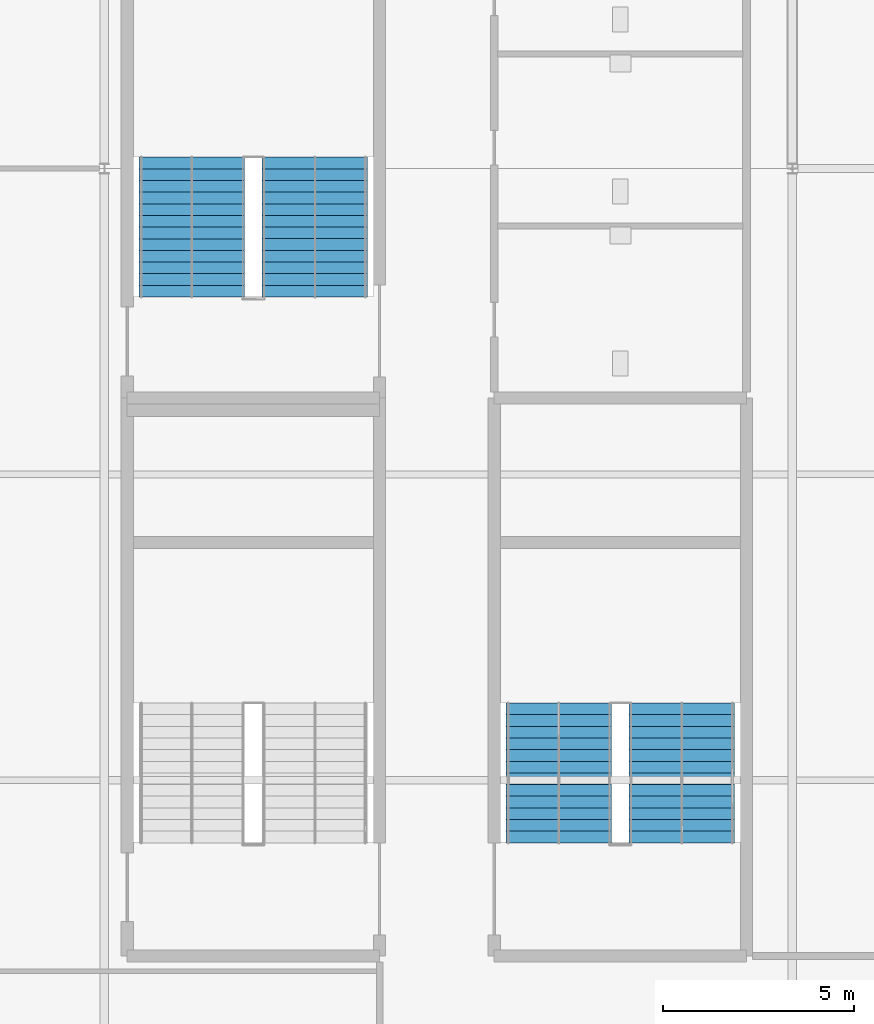
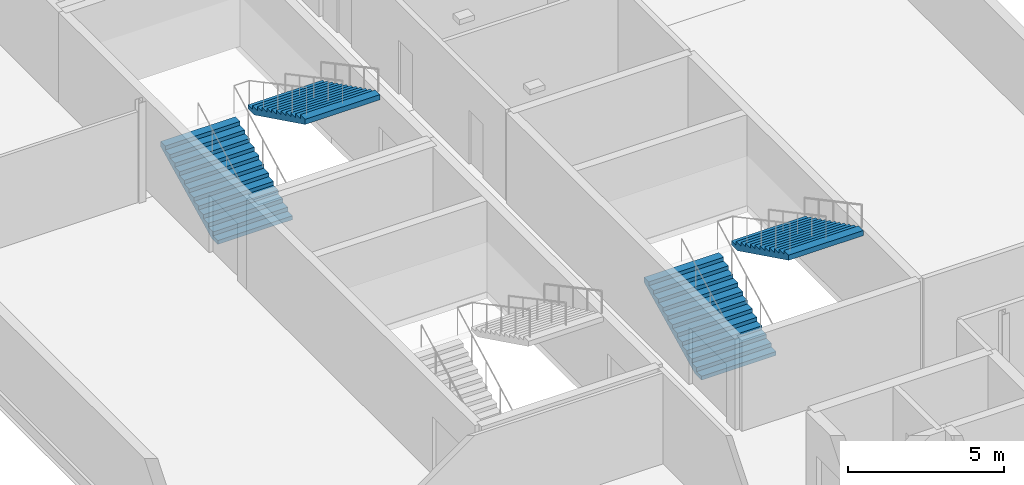
# One storey, part 24 of 30: 4 stair flights, 2 elements without a shape of their own.
"""IFC4 building model written with IfcOpenShell, lengths in metres."""

import ifcopenshell
import ifcopenshell.guid

model = None  # the IFC model being written
_history = None  # IfcOwnerHistory: only IFC2X3 demands one
_inside = {}  # id of a spatial element -> (the spatial element, [elements in it])
_under = {}  # id of a project, library or spatial element -> (it, [spatial elements below it])
_declared = {}  # id of a project -> (the project, [libraries it declares])
_typed = {}  # id of a type object -> (the type object, [elements of that type])
_made_of = {}  # id of a material, layer set ... -> (it, [elements and type objects made of it])


def new_model(schema):
    """Start an empty IFC model of exactly this schema.

    Asked for "IFC4X3", IfcOpenShell would pick the latest addendum, in which some entities
    have other attributes; the version numbers below select the first issue.
    IFC2X3 requires an IfcOwnerHistory on every rooted entity: one is made here for all.
    """
    global model, _history
    if schema == "IFC4X3":
        model = ifcopenshell.file(schema_version=(4, 3, 0, 0))
    else:
        model = ifcopenshell.file(schema=schema)
    _inside.clear()
    _under.clear()
    _declared.clear()
    _typed.clear()
    _made_of.clear()
    _history = None
    if model.schema == "IFC2X3":
        org = make("IfcOrganization", Name="unknown")
        user = make(
            "IfcPersonAndOrganization",
            ThePerson=make("IfcPerson", FamilyName="unknown"),
            TheOrganization=org,
        )
        app = make(
            "IfcApplication",
            ApplicationDeveloper=org,
            Version="unknown",
            ApplicationFullName="unknown",
            ApplicationIdentifier="unknown",
        )
        _history = make(
            "IfcOwnerHistory",
            OwningUser=user,
            OwningApplication=app,
            ChangeAction="ADDED",
            CreationDate=0,
        )
    return model


def make(cls, **values):
    """One entity of the class cls with the attributes given. An attribute that is None is left unset."""
    return model.create_entity(
        cls, **{name: value for name, value in values.items() if value is not None}
    )


def rooted(cls, **values):
    """An entity with a GlobalId (a new one), such as an element, a storey or a relation."""
    return make(cls, GlobalId=ifcopenshell.guid.new(), OwnerHistory=_history, **values)


def si_unit(unit_type, name, prefix=None):
    """IfcSIUnit, for example si_unit("LENGTHUNIT", "METRE", prefix="MILLI")."""
    return make("IfcSIUnit", UnitType=unit_type, Prefix=prefix, Name=name)


def assignment(units):
    """IfcUnitAssignment: the units of a project."""
    return None if units is None else make("IfcUnitAssignment", Units=units)


def point(xyz):
    """IfcCartesianPoint."""
    return None if xyz is None else make("IfcCartesianPoint", Coordinates=xyz)


def direction(xyz):
    """IfcDirection."""
    return None if xyz is None else make("IfcDirection", DirectionRatios=xyz)


def frame(location, z_axis=None, x_axis=None):
    """IfcAxis2Placement3D, a coordinate frame: its origin and axes. An axis left out is left unset."""
    return make(
        "IfcAxis2Placement3D",
        Location=point(location),
        Axis=direction(z_axis),
        RefDirection=direction(x_axis),
    )


def origin():
    """The frame at (0, 0, 0) with its axes left unset."""
    return frame((0.0, 0.0, 0.0))


def place(relative_to, where):
    """IfcLocalPlacement: puts the frame where relative to a parent placement (None: the world)."""
    return make(
        "IfcLocalPlacement", PlacementRelTo=relative_to, RelativePlacement=where
    )


def context(
    kind, dimensions, precision=None, world=None, true_north=None, identifier=None
):
    """IfcGeometricRepresentationContext, for example the 3D "Model" context."""
    return make(
        "IfcGeometricRepresentationContext",
        ContextIdentifier=identifier,
        ContextType=kind,
        CoordinateSpaceDimension=dimensions,
        Precision=precision,
        WorldCoordinateSystem=world,
        TrueNorth=true_north,
    )


def subcontext(parent, identifier, kind, view, scale=None):
    """IfcGeometricRepresentationSubContext, for example "Body" below "Model"."""
    return make(
        "IfcGeometricRepresentationSubContext",
        ContextIdentifier=identifier,
        ContextType=kind,
        ParentContext=parent,
        TargetScale=scale,
        TargetView=view,
    )


def project(units=None, contexts=None):
    """IfcProject with its units and contexts."""
    return rooted(
        "IfcProject",
        Name="project",
        RepresentationContexts=contexts,
        UnitsInContext=assignment(units),
    )


def spatial(cls, under=None, at=None, **own):
    """A site, building, storey or space (cls), placed at a placement, below another one or the project."""
    s = rooted(cls, ObjectPlacement=at, **own)
    if under is not None:
        _under.setdefault(under.id(), (under, []))[1].append(s)
    return s


def point_list(points):
    """IfcCartesianPointList2D or 3D."""
    cls = (
        "IfcCartesianPointList2D" if len(points[0]) == 2 else "IfcCartesianPointList3D"
    )
    return make(cls, CoordList=points)


def polygons(points, faces, closed=None, point_numbers=None):
    """IfcPolygonalFaceSet: a face is its outer loop, then its inner loops; points numbered from 1."""
    made = []
    for loops in faces:
        if len(loops) == 1:
            made.append(make("IfcIndexedPolygonalFace", CoordIndex=loops[0]))
        else:
            made.append(
                make(
                    "IfcIndexedPolygonalFaceWithVoids",
                    CoordIndex=loops[0],
                    InnerCoordIndices=loops[1:],
                )
            )
    return make(
        "IfcPolygonalFaceSet",
        Coordinates=point_list(points),
        Closed=closed,
        Faces=made,
        PnIndex=point_numbers,
    )


def shape(context_of_items, identifier, shape_type, items):
    """IfcShapeRepresentation: the items that make up one representation, for example the "Body"."""
    return make(
        "IfcShapeRepresentation",
        ContextOfItems=context_of_items,
        RepresentationIdentifier=identifier,
        RepresentationType=shape_type,
        Items=items,
    )


def material(Name=None, Category=None):
    """IfcMaterial."""
    return make("IfcMaterial", Name=Name, Category=Category)


def made_of(thing, what):
    """Note that an element or type object is made of a material, layer set ...; save() writes the relation."""
    if what is not None:
        _made_of.setdefault(what.id(), (what, []))[1].append(thing)
    return thing


def type_object(cls, material=None, **own):
    """A type object (cls), such as IfcWallType, which elements share."""
    return made_of(rooted(cls, **own), material)


def element(
    cls,
    number,
    at=None,
    inside=None,
    cuts=None,
    type_object=None,
    material=None,
    context=None,
    identifier="Body",
    shape_type=None,
    held_by="IfcProductDefinitionShape",
    body=None,
    shapes=None,
    **own,
):
    """One element of the class cls, such as IfcWall. Its Tag is "e" and its number.

    at: its placement. inside: the storey or other place that contains it. cuts: it is an
    opening in that element (IfcRelVoidsElement). A single representation is given by context,
    identifier, shape_type and body (its items); several are given by shapes. held_by: the class
    of the entity that holds the representations. save() writes the other relations.
    """
    e = rooted(cls, Tag="e%d" % number, ObjectPlacement=at, **own)
    if body is not None:
        shapes = [shape(context, identifier, shape_type, body)]
    if shapes is not None:
        e.Representation = make(held_by, Representations=shapes)
    if inside is not None:
        _inside.setdefault(inside.id(), (inside, []))[1].append(e)
    if cuts is not None:
        rooted(
            "IfcRelVoidsElement", RelatingBuildingElement=cuts, RelatedOpeningElement=e
        )
    if type_object is not None:
        _typed.setdefault(type_object.id(), (type_object, []))[1].append(e)
    return made_of(e, material)


def aggregate(whole, parts):
    """IfcRelAggregates: a whole, such as a stair, and the parts it consists of."""
    return rooted("IfcRelAggregates", RelatingObject=whole, RelatedObjects=parts)


def save(model, path):
    """Write the relations noted so far, then the file.

    IfcRelAggregates (storeys below a building ...), IfcRelContainedInSpatialStructure (elements
    in a storey), IfcRelDefinesByType, IfcRelAssociatesMaterial and IfcRelDeclares: one each for
    every whole, place, type object, material and project.
    """
    for whole, parts in _under.values():
        aggregate(whole, parts)
    for where, things in _inside.values():
        rooted(
            "IfcRelContainedInSpatialStructure",
            RelatedElements=things,
            RelatingStructure=where,
        )
    for kind, things in _typed.values():
        rooted("IfcRelDefinesByType", RelatedObjects=things, RelatingType=kind)
    for what, things in _made_of.values():
        rooted("IfcRelAssociatesMaterial", RelatedObjects=things, RelatingMaterial=what)
    for by, libraries in _declared.values():
        rooted("IfcRelDeclares", RelatingContext=by, RelatedDefinitions=libraries)
    model.write(path)


model = new_model("IFC4")

# Units and contexts
model_context = context("Model", 3, precision=1e-05, world=origin(), true_north=direction((0.0, 1.0)))
body_context = subcontext(model_context, "Body", "Model", "MODEL_VIEW")
ifc_project = project(units=[si_unit("LENGTHUNIT", "METRE"), si_unit("AREAUNIT", "SQUARE_METRE"), si_unit("VOLUMEUNIT", "CUBIC_METRE"), si_unit("PLANEANGLEUNIT", "RADIAN"), si_unit("MASSUNIT", "GRAM", prefix="KILO")], contexts=[model_context])

# Site, building, storey
site_placement = place(None, origin())
site = spatial("IfcSite", under=ifc_project, at=site_placement, CompositionType="ELEMENT")
building_placement = place(site_placement, origin())
building = spatial("IfcBuilding", under=site, at=building_placement, Name="Kisiwana Market Hall", CompositionType="ELEMENT")
storey_placement = place(building_placement, frame((0.0, 0.0, 54.0)))
storey = spatial("IfcBuildingStorey", under=building, at=storey_placement, Name="L12", CompositionType="ELEMENT", Elevation=54.0)

# Stair, stair flights
ifc_material_1 = material(Name="Concrete C32/40", Category="concrete")
stair_type = type_object("IfcStairType", Name="ST-ESC-3900", PredefinedType="TWO_STRAIGHT_RUN_STAIR", material=ifc_material_1)
stair_1_placement = place(storey_placement, origin())
stair_1 = element("IfcStair", 1, at=stair_1_placement, inside=storey, type_object=stair_type, Name="Escape stair ST-E3-L12", PredefinedType="TWO_STRAIGHT_RUN_STAIR")
ifc_material_2 = material(Name="Concrete C32/40", Category="concrete")
stair_flight_type = type_object("IfcStairFlightType", Name="SF-ESC-3900", PredefinedType="STRAIGHT", material=ifc_material_2)
stair_flight_1_placement = place(storey_placement, frame((182.889892578125, 42.360107421875, 0.0), z_axis=(0.0, 0.0, 1.0), x_axis=(0.0, 1.0, 0.0)))
stair_flight_1 = element("IfcStairFlight", 2, at=stair_flight_1_placement, type_object=stair_flight_type, Name="ST-E3-L12 flight 1", NumberOfRisers=13, NumberOfTreads=12, PredefinedType="STRAIGHT", RiserHeight=0.15, TreadLength=0.305, context=body_context, shape_type="Tessellation", body=[
    polygons([(0.0, -1.380127, 0.0), (0.0, -0.690125, 0.0), (0.0, -0.000122, 0.0), (0.0, 0.68988, 0.0), (0.0, 1.379883, 0.0), (0.0, -1.380127, 0.149902), (0.0, -0.690125, 0.149902), (0.0, -0.000122, 0.149902), (0.0, 0.68988, 0.149902), (0.0, 1.379883, 0.149902), (0.304932, -1.380127, 0.149902), (0.304932, -0.690125, 0.149902), (0.304932, -0.000122, 0.149902), (0.304932, 0.68988, 0.149902), (0.304932, 1.379883, 0.149902), (0.304932, -1.380127, 0.300049), (0.304932, -0.690125, 0.300049), (0.304932, -0.000122, 0.300049), (0.304932, 0.68988, 0.300049), (0.304932, 1.379883, 0.300049), (0.610107, -1.380127, 0.300049), (0.610107, -0.690125, 0.300049), (0.610107, -0.000122, 0.300049), (0.610107, 0.68988, 0.300049), (0.610107, 1.379883, 0.300049), (0.610107, -1.380127, 0.449951), (0.610107, -0.690125, 0.449951), (0.610107, -0.000122, 0.449951), (0.610107, 0.68988, 0.449951), (0.610107, 1.379883, 0.449951), (0.915039, -1.380127, 0.449951), (0.915039, -0.690125, 0.449951), (0.915039, -0.000122, 0.449951), (0.915039, 0.68988, 0.449951), (0.915039, 1.379883, 0.449951), (0.915039, -1.380127, 0.600098), (0.915039, -0.690125, 0.600098), (0.915039, -0.000122, 0.600098), (0.915039, 0.68988, 0.600098), (0.915039, 1.379883, 0.600098), (1.219971, -1.380127, 0.600098), (1.219971, -0.690125, 0.600098), (1.219971, -0.000122, 0.600098), (1.219971, 0.68988, 0.600098), (1.219971, 1.379883, 0.600098), (1.219971, -1.380127, 0.75), (1.219971, -0.690125, 0.75), (1.219971, -0.000122, 0.75), (1.219971, 0.68988, 0.75), (1.219971, 1.379883, 0.75), (1.524902, -1.380127, 0.75), (1.524902, -0.690125, 0.75), (1.524902, -0.000122, 0.75), (1.524902, 0.68988, 0.75), (1.524902, 1.379883, 0.75), (1.524902, -1.380127, 0.899902), (1.524902, -0.690125, 0.899902), (1.524902, -0.000122, 0.899902), (1.524902, 0.68988, 0.899902), (1.524902, 1.379883, 0.899902), (1.830078, -1.380127, 0.899902), (1.830078, -0.690125, 0.899902), (1.830078, -0.000122, 0.899902), (1.830078, 0.68988, 0.899902), (1.830078, 1.379883, 0.899902), (1.830078, -1.380127, 1.050049), (1.830078, -0.690125, 1.050049), (1.830078, -0.000122, 1.050049), (1.830078, 0.68988, 1.050049), (1.830078, 1.379883, 1.050049), (2.13501, -1.380127, 1.050049), (2.13501, -0.690125, 1.050049), (2.13501, -0.000122, 1.050049), (2.13501, 0.68988, 1.050049), (2.13501, 1.379883, 1.050049), (2.13501, -1.380127, 1.199951), (2.13501, -0.690125, 1.199951), (2.13501, -0.000122, 1.199951), (2.13501, 0.68988, 1.199951), (2.13501, 1.379883, 1.199951), (2.439941, -1.380127, 1.199951), (2.439941, -0.690125, 1.199951), (2.439941, -0.000122, 1.199951), (2.439941, 0.68988, 1.199951), (2.439941, 1.379883, 1.199951), (2.439941, -1.380127, 1.350098), (2.439941, -0.690125, 1.350098), (2.439941, -0.000122, 1.350098), (2.439941, 0.68988, 1.350098), (2.439941, 1.379883, 1.350098), (2.745117, -1.380127, 1.350098), (2.745117, -0.690125, 1.350098), (2.745117, -0.000122, 1.350098), (2.745117, 0.68988, 1.350098), (2.745117, 1.379883, 1.350098), (2.745117, -1.380127, 1.5), (2.745117, -0.690125, 1.5), (2.745117, -0.000122, 1.5), (2.745117, 0.68988, 1.5), (2.745117, 1.379883, 1.5), (3.050049, -1.380127, 1.5), (3.050049, -0.690125, 1.5), (3.050049, -0.000122, 1.5), (3.050049, 0.68988, 1.5), (3.050049, 1.379883, 1.5), (3.050049, -1.380127, 1.649902), (3.050049, -0.690125, 1.649902), (3.050049, -0.000122, 1.649902), (3.050049, 0.68988, 1.649902), (3.050049, 1.379883, 1.649902), (3.35498, -1.380127, 1.649902), (3.35498, -0.690125, 1.649902), (3.35498, -0.000122, 1.649902), (3.35498, 0.68988, 1.649902), (3.35498, 1.379883, 1.649902), (3.35498, -1.380127, 1.800049), (3.35498, -0.690125, 1.800049), (3.35498, -0.000122, 1.800049), (3.35498, 0.68988, 1.800049), (3.35498, 1.379883, 1.800049), (3.659912, -1.380127, 1.800049), (3.659912, -0.690125, 1.800049), (3.659912, -0.000122, 1.800049), (3.659912, 0.68988, 1.800049), (3.659912, 1.379883, 1.800049), (3.659912, -1.380127, 1.599365), (3.659912, -0.690125, 1.599365), (3.659912, -0.000122, 1.599365), (3.659912, 0.68988, 1.599365), (3.659912, 1.379883, 1.599365), (0.407715, -1.380127, 0.0), (0.407715, -0.690125, 0.0), (0.407715, -0.000122, 0.0), (0.407715, 0.68988, 0.0), (0.407715, 1.379883, 0.0)], [[[1, 6, 7, 2]], [[2, 7, 8, 3]], [[3, 8, 9, 4]], [[4, 9, 10, 5]], [[6, 11, 12, 7]], [[7, 12, 13, 8]], [[8, 13, 14, 9]], [[9, 14, 15, 10]], [[11, 16, 17, 12]], [[12, 17, 18, 13]], [[13, 18, 19, 14]], [[14, 19, 20, 15]], [[16, 21, 22, 17]], [[17, 22, 23, 18]], [[18, 23, 24, 19]], [[19, 24, 25, 20]], [[21, 26, 27, 22]], [[22, 27, 28, 23]], [[23, 28, 29, 24]], [[24, 29, 30, 25]], [[26, 31, 32, 27]], [[27, 32, 33, 28]], [[28, 33, 34, 29]], [[29, 34, 35, 30]], [[31, 36, 37, 32]], [[32, 37, 38, 33]], [[33, 38, 39, 34]], [[34, 39, 40, 35]], [[36, 41, 42, 37]], [[37, 42, 43, 38]], [[38, 43, 44, 39]], [[39, 44, 45, 40]], [[41, 46, 47, 42]], [[42, 47, 48, 43]], [[43, 48, 49, 44]], [[44, 49, 50, 45]], [[46, 51, 52, 47]], [[47, 52, 53, 48]], [[48, 53, 54, 49]], [[49, 54, 55, 50]], [[51, 56, 57, 52]], [[52, 57, 58, 53]], [[53, 58, 59, 54]], [[54, 59, 60, 55]], [[56, 61, 62, 57]], [[57, 62, 63, 58]], [[58, 63, 64, 59]], [[59, 64, 65, 60]], [[61, 66, 67, 62]], [[62, 67, 68, 63]], [[63, 68, 69, 64]], [[64, 69, 70, 65]], [[66, 71, 72, 67]], [[67, 72, 73, 68]], [[68, 73, 74, 69]], [[69, 74, 75, 70]], [[71, 76, 77, 72]], [[72, 77, 78, 73]], [[73, 78, 79, 74]], [[74, 79, 80, 75]], [[76, 81, 82, 77]], [[77, 82, 83, 78]], [[78, 83, 84, 79]], [[79, 84, 85, 80]], [[81, 86, 87, 82]], [[82, 87, 88, 83]], [[83, 88, 89, 84]], [[84, 89, 90, 85]], [[86, 91, 92, 87]], [[87, 92, 93, 88]], [[88, 93, 94, 89]], [[89, 94, 95, 90]], [[91, 96, 97, 92]], [[92, 97, 98, 93]], [[93, 98, 99, 94]], [[94, 99, 100, 95]], [[96, 101, 102, 97]], [[97, 102, 103, 98]], [[98, 103, 104, 99]], [[99, 104, 105, 100]], [[101, 106, 107, 102]], [[102, 107, 108, 103]], [[103, 108, 109, 104]], [[104, 109, 110, 105]], [[106, 111, 112, 107]], [[107, 112, 113, 108]], [[108, 113, 114, 109]], [[109, 114, 115, 110]], [[111, 116, 117, 112]], [[112, 117, 118, 113]], [[113, 118, 119, 114]], [[114, 119, 120, 115]], [[116, 121, 122, 117]], [[117, 122, 123, 118]], [[118, 123, 124, 119]], [[119, 124, 125, 120]], [[121, 126, 127, 122]], [[122, 127, 128, 123]], [[123, 128, 129, 124]], [[124, 129, 130, 125]], [[126, 131, 132, 127]], [[127, 132, 133, 128]], [[128, 133, 134, 129]], [[129, 134, 135, 130]], [[131, 1, 2, 132]], [[132, 2, 3, 133]], [[133, 3, 4, 134]], [[134, 4, 5, 135]], [[131, 126, 121, 116, 111, 106, 101, 96, 91, 86, 81, 76, 71, 66, 61, 56, 51, 46, 41, 36, 31, 26, 21, 16, 11, 6, 1]], [[5, 10, 15, 20, 25, 30, 35, 40, 45, 50, 55, 60, 65, 70, 75, 80, 85, 90, 95, 100, 105, 110, 115, 120, 125, 130, 135]]], closed=True),
])
stair_flight_2_placement = place(storey_placement, frame((186.110107421875, 46.02001953125, 1.949951171875), z_axis=(0.0, 0.0, 1.0), x_axis=(0.0, -1.0, 0.0)))
stair_flight_2 = element("IfcStairFlight", 3, at=stair_flight_2_placement, type_object=stair_flight_type, Name="ST-E3-L12 flight 2", NumberOfRisers=13, NumberOfTreads=12, PredefinedType="STRAIGHT", RiserHeight=0.15, TreadLength=0.305, context=body_context, shape_type="Tessellation", body=[
    polygons([(0.0, -1.380127, 0.0), (0.0, -0.690125, 0.0), (0.0, -0.000122, 0.0), (0.0, 0.68988, 0.0), (0.0, 1.379883, 0.0), (0.0, -1.380127, 0.149902), (0.0, -0.690125, 0.149902), (0.0, -0.000122, 0.149902), (0.0, 0.68988, 0.149902), (0.0, 1.379883, 0.149902), (0.304932, -1.380127, 0.149902), (0.304932, -0.690125, 0.149902), (0.304932, -0.000122, 0.149902), (0.304932, 0.68988, 0.149902), (0.304932, 1.379883, 0.149902), (0.304932, -1.380127, 0.300049), (0.304932, -0.690125, 0.300049), (0.304932, -0.000122, 0.300049), (0.304932, 0.68988, 0.300049), (0.304932, 1.379883, 0.300049), (0.610107, -1.380127, 0.300049), (0.610107, -0.690125, 0.300049), (0.610107, -0.000122, 0.300049), (0.610107, 0.68988, 0.300049), (0.610107, 1.379883, 0.300049), (0.610107, -1.380127, 0.449951), (0.610107, -0.690125, 0.449951), (0.610107, -0.000122, 0.449951), (0.610107, 0.68988, 0.449951), (0.610107, 1.379883, 0.449951), (0.915039, -1.380127, 0.449951), (0.915039, -0.690125, 0.449951), (0.915039, -0.000122, 0.449951), (0.915039, 0.68988, 0.449951), (0.915039, 1.379883, 0.449951), (0.915039, -1.380127, 0.600098), (0.915039, -0.690125, 0.600098), (0.915039, -0.000122, 0.600098), (0.915039, 0.68988, 0.600098), (0.915039, 1.379883, 0.600098), (1.219971, -1.380127, 0.600098), (1.219971, -0.690125, 0.600098), (1.219971, -0.000122, 0.600098), (1.219971, 0.68988, 0.600098), (1.219971, 1.379883, 0.600098), (1.219971, -1.380127, 0.75), (1.219971, -0.690125, 0.75), (1.219971, -0.000122, 0.75), (1.219971, 0.68988, 0.75), (1.219971, 1.379883, 0.75), (1.524902, -1.380127, 0.75), (1.524902, -0.690125, 0.75), (1.524902, -0.000122, 0.75), (1.524902, 0.68988, 0.75), (1.524902, 1.379883, 0.75), (1.524902, -1.380127, 0.899902), (1.524902, -0.690125, 0.899902), (1.524902, -0.000122, 0.899902), (1.524902, 0.68988, 0.899902), (1.524902, 1.379883, 0.899902), (1.830078, -1.380127, 0.899902), (1.830078, -0.690125, 0.899902), (1.830078, -0.000122, 0.899902), (1.830078, 0.68988, 0.899902), (1.830078, 1.379883, 0.899902), (1.830078, -1.380127, 1.050049), (1.830078, -0.690125, 1.050049), (1.830078, -0.000122, 1.050049), (1.830078, 0.68988, 1.050049), (1.830078, 1.379883, 1.050049), (2.13501, -1.380127, 1.050049), (2.13501, -0.690125, 1.050049), (2.13501, -0.000122, 1.050049), (2.13501, 0.68988, 1.050049), (2.13501, 1.379883, 1.050049), (2.13501, -1.380127, 1.199951), (2.13501, -0.690125, 1.199951), (2.13501, -0.000122, 1.199951), (2.13501, 0.68988, 1.199951), (2.13501, 1.379883, 1.199951), (2.439941, -1.380127, 1.199951), (2.439941, -0.690125, 1.199951), (2.439941, -0.000122, 1.199951), (2.439941, 0.68988, 1.199951), (2.439941, 1.379883, 1.199951), (2.439941, -1.380127, 1.350098), (2.439941, -0.690125, 1.350098), (2.439941, -0.000122, 1.350098), (2.439941, 0.68988, 1.350098), (2.439941, 1.379883, 1.350098), (2.745117, -1.380127, 1.350098), (2.745117, -0.690125, 1.350098), (2.745117, -0.000122, 1.350098), (2.745117, 0.68988, 1.350098), (2.745117, 1.379883, 1.350098), (2.745117, -1.380127, 1.5), (2.745117, -0.690125, 1.5), (2.745117, -0.000122, 1.5), (2.745117, 0.68988, 1.5), (2.745117, 1.379883, 1.5), (3.050049, -1.380127, 1.5), (3.050049, -0.690125, 1.5), (3.050049, -0.000122, 1.5), (3.050049, 0.68988, 1.5), (3.050049, 1.379883, 1.5), (3.050049, -1.380127, 1.649902), (3.050049, -0.690125, 1.649902), (3.050049, -0.000122, 1.649902), (3.050049, 0.68988, 1.649902), (3.050049, 1.379883, 1.649902), (3.35498, -1.380127, 1.649902), (3.35498, -0.690125, 1.649902), (3.35498, -0.000122, 1.649902), (3.35498, 0.68988, 1.649902), (3.35498, 1.379883, 1.649902), (3.35498, -1.380127, 1.800049), (3.35498, -0.690125, 1.800049), (3.35498, -0.000122, 1.800049), (3.35498, 0.68988, 1.800049), (3.35498, 1.379883, 1.800049), (3.659912, -1.380127, 1.800049), (3.659912, -0.690125, 1.800049), (3.659912, -0.000122, 1.800049), (3.659912, 0.68988, 1.800049), (3.659912, 1.379883, 1.800049), (3.659912, -1.380127, 1.599365), (3.659912, -0.690125, 1.599365), (3.659912, -0.000122, 1.599365), (3.659912, 0.68988, 1.599365), (3.659912, 1.379883, 1.599365), (0.407715, -1.380127, 0.0), (0.407715, -0.690125, 0.0), (0.407715, -0.000122, 0.0), (0.407715, 0.68988, 0.0), (0.407715, 1.379883, 0.0)], [[[1, 6, 7, 2]], [[2, 7, 8, 3]], [[3, 8, 9, 4]], [[4, 9, 10, 5]], [[6, 11, 12, 7]], [[7, 12, 13, 8]], [[8, 13, 14, 9]], [[9, 14, 15, 10]], [[11, 16, 17, 12]], [[12, 17, 18, 13]], [[13, 18, 19, 14]], [[14, 19, 20, 15]], [[16, 21, 22, 17]], [[17, 22, 23, 18]], [[18, 23, 24, 19]], [[19, 24, 25, 20]], [[21, 26, 27, 22]], [[22, 27, 28, 23]], [[23, 28, 29, 24]], [[24, 29, 30, 25]], [[26, 31, 32, 27]], [[27, 32, 33, 28]], [[28, 33, 34, 29]], [[29, 34, 35, 30]], [[31, 36, 37, 32]], [[32, 37, 38, 33]], [[33, 38, 39, 34]], [[34, 39, 40, 35]], [[36, 41, 42, 37]], [[37, 42, 43, 38]], [[38, 43, 44, 39]], [[39, 44, 45, 40]], [[41, 46, 47, 42]], [[42, 47, 48, 43]], [[43, 48, 49, 44]], [[44, 49, 50, 45]], [[46, 51, 52, 47]], [[47, 52, 53, 48]], [[48, 53, 54, 49]], [[49, 54, 55, 50]], [[51, 56, 57, 52]], [[52, 57, 58, 53]], [[53, 58, 59, 54]], [[54, 59, 60, 55]], [[56, 61, 62, 57]], [[57, 62, 63, 58]], [[58, 63, 64, 59]], [[59, 64, 65, 60]], [[61, 66, 67, 62]], [[62, 67, 68, 63]], [[63, 68, 69, 64]], [[64, 69, 70, 65]], [[66, 71, 72, 67]], [[67, 72, 73, 68]], [[68, 73, 74, 69]], [[69, 74, 75, 70]], [[71, 76, 77, 72]], [[72, 77, 78, 73]], [[73, 78, 79, 74]], [[74, 79, 80, 75]], [[76, 81, 82, 77]], [[77, 82, 83, 78]], [[78, 83, 84, 79]], [[79, 84, 85, 80]], [[81, 86, 87, 82]], [[82, 87, 88, 83]], [[83, 88, 89, 84]], [[84, 89, 90, 85]], [[86, 91, 92, 87]], [[87, 92, 93, 88]], [[88, 93, 94, 89]], [[89, 94, 95, 90]], [[91, 96, 97, 92]], [[92, 97, 98, 93]], [[93, 98, 99, 94]], [[94, 99, 100, 95]], [[96, 101, 102, 97]], [[97, 102, 103, 98]], [[98, 103, 104, 99]], [[99, 104, 105, 100]], [[101, 106, 107, 102]], [[102, 107, 108, 103]], [[103, 108, 109, 104]], [[104, 109, 110, 105]], [[106, 111, 112, 107]], [[107, 112, 113, 108]], [[108, 113, 114, 109]], [[109, 114, 115, 110]], [[111, 116, 117, 112]], [[112, 117, 118, 113]], [[113, 118, 119, 114]], [[114, 119, 120, 115]], [[116, 121, 122, 117]], [[117, 122, 123, 118]], [[118, 123, 124, 119]], [[119, 124, 125, 120]], [[121, 126, 127, 122]], [[122, 127, 128, 123]], [[123, 128, 129, 124]], [[124, 129, 130, 125]], [[126, 131, 132, 127]], [[127, 132, 133, 128]], [[128, 133, 134, 129]], [[129, 134, 135, 130]], [[131, 1, 2, 132]], [[132, 2, 3, 133]], [[133, 3, 4, 134]], [[134, 4, 5, 135]], [[131, 126, 121, 116, 111, 106, 101, 96, 91, 86, 81, 76, 71, 66, 61, 56, 51, 46, 41, 36, 31, 26, 21, 16, 11, 6, 1]], [[5, 10, 15, 20, 25, 30, 35, 40, 45, 50, 55, 60, 65, 70, 75, 80, 85, 90, 95, 100, 105, 110, 115, 120, 125, 130, 135]]], closed=True),
])
aggregate(stair_1, [stair_flight_1, stair_flight_2])

stair_2_placement = place(storey_placement, origin())
stair_2 = element("IfcStair", 4, at=stair_2_placement, inside=storey, type_object=stair_type, Name="Escape stair ST-E5-L12", PredefinedType="TWO_STRAIGHT_RUN_STAIR")
stair_flight_3_placement = place(storey_placement, frame((173.2900390625, 56.639892578125, 0.0), z_axis=(0.0, 0.0, 1.0), x_axis=(0.0, 1.0, 0.0)))
stair_flight_3 = element("IfcStairFlight", 5, at=stair_flight_3_placement, type_object=stair_flight_type, Name="ST-E5-L12 flight 1", NumberOfRisers=13, NumberOfTreads=12, PredefinedType="STRAIGHT", RiserHeight=0.15, TreadLength=0.305, context=body_context, shape_type="Tessellation", body=[
    polygons([(0.0, -1.380127, 0.0), (0.0, -0.690125, 0.0), (0.0, -0.000122, 0.0), (0.0, 0.68988, 0.0), (0.0, 1.379883, 0.0), (0.0, -1.380127, 0.149902), (0.0, -0.690125, 0.149902), (0.0, -0.000122, 0.149902), (0.0, 0.68988, 0.149902), (0.0, 1.379883, 0.149902), (0.304932, -1.380127, 0.149902), (0.304932, -0.690125, 0.149902), (0.304932, -0.000122, 0.149902), (0.304932, 0.68988, 0.149902), (0.304932, 1.379883, 0.149902), (0.304932, -1.380127, 0.300049), (0.304932, -0.690125, 0.300049), (0.304932, -0.000122, 0.300049), (0.304932, 0.68988, 0.300049), (0.304932, 1.379883, 0.300049), (0.610107, -1.380127, 0.300049), (0.610107, -0.690125, 0.300049), (0.610107, -0.000122, 0.300049), (0.610107, 0.68988, 0.300049), (0.610107, 1.379883, 0.300049), (0.610107, -1.380127, 0.449951), (0.610107, -0.690125, 0.449951), (0.610107, -0.000122, 0.449951), (0.610107, 0.68988, 0.449951), (0.610107, 1.379883, 0.449951), (0.915039, -1.380127, 0.449951), (0.915039, -0.690125, 0.449951), (0.915039, -0.000122, 0.449951), (0.915039, 0.68988, 0.449951), (0.915039, 1.379883, 0.449951), (0.915039, -1.380127, 0.600098), (0.915039, -0.690125, 0.600098), (0.915039, -0.000122, 0.600098), (0.915039, 0.68988, 0.600098), (0.915039, 1.379883, 0.600098), (1.219971, -1.380127, 0.600098), (1.219971, -0.690125, 0.600098), (1.219971, -0.000122, 0.600098), (1.219971, 0.68988, 0.600098), (1.219971, 1.379883, 0.600098), (1.219971, -1.380127, 0.75), (1.219971, -0.690125, 0.75), (1.219971, -0.000122, 0.75), (1.219971, 0.68988, 0.75), (1.219971, 1.379883, 0.75), (1.524902, -1.380127, 0.75), (1.524902, -0.690125, 0.75), (1.524902, -0.000122, 0.75), (1.524902, 0.68988, 0.75), (1.524902, 1.379883, 0.75), (1.524902, -1.380127, 0.899902), (1.524902, -0.690125, 0.899902), (1.524902, -0.000122, 0.899902), (1.524902, 0.68988, 0.899902), (1.524902, 1.379883, 0.899902), (1.830078, -1.380127, 0.899902), (1.830078, -0.690125, 0.899902), (1.830078, -0.000122, 0.899902), (1.830078, 0.68988, 0.899902), (1.830078, 1.379883, 0.899902), (1.830078, -1.380127, 1.050049), (1.830078, -0.690125, 1.050049), (1.830078, -0.000122, 1.050049), (1.830078, 0.68988, 1.050049), (1.830078, 1.379883, 1.050049), (2.13501, -1.380127, 1.050049), (2.13501, -0.690125, 1.050049), (2.13501, -0.000122, 1.050049), (2.13501, 0.68988, 1.050049), (2.13501, 1.379883, 1.050049), (2.13501, -1.380127, 1.199951), (2.13501, -0.690125, 1.199951), (2.13501, -0.000122, 1.199951), (2.13501, 0.68988, 1.199951), (2.13501, 1.379883, 1.199951), (2.439941, -1.380127, 1.199951), (2.439941, -0.690125, 1.199951), (2.439941, -0.000122, 1.199951), (2.439941, 0.68988, 1.199951), (2.439941, 1.379883, 1.199951), (2.439941, -1.380127, 1.350098), (2.439941, -0.690125, 1.350098), (2.439941, -0.000122, 1.350098), (2.439941, 0.68988, 1.350098), (2.439941, 1.379883, 1.350098), (2.745117, -1.380127, 1.350098), (2.745117, -0.690125, 1.350098), (2.745117, -0.000122, 1.350098), (2.745117, 0.68988, 1.350098), (2.745117, 1.379883, 1.350098), (2.745117, -1.380127, 1.5), (2.745117, -0.690125, 1.5), (2.745117, -0.000122, 1.5), (2.745117, 0.68988, 1.5), (2.745117, 1.379883, 1.5), (3.050049, -1.380127, 1.5), (3.050049, -0.690125, 1.5), (3.050049, -0.000122, 1.5), (3.050049, 0.68988, 1.5), (3.050049, 1.379883, 1.5), (3.050049, -1.380127, 1.649902), (3.050049, -0.690125, 1.649902), (3.050049, -0.000122, 1.649902), (3.050049, 0.68988, 1.649902), (3.050049, 1.379883, 1.649902), (3.35498, -1.380127, 1.649902), (3.35498, -0.690125, 1.649902), (3.35498, -0.000122, 1.649902), (3.35498, 0.68988, 1.649902), (3.35498, 1.379883, 1.649902), (3.35498, -1.380127, 1.800049), (3.35498, -0.690125, 1.800049), (3.35498, -0.000122, 1.800049), (3.35498, 0.68988, 1.800049), (3.35498, 1.379883, 1.800049), (3.659912, -1.380127, 1.800049), (3.659912, -0.690125, 1.800049), (3.659912, -0.000122, 1.800049), (3.659912, 0.68988, 1.800049), (3.659912, 1.379883, 1.800049), (3.659912, -1.380127, 1.599365), (3.659912, -0.690125, 1.599365), (3.659912, -0.000122, 1.599365), (3.659912, 0.68988, 1.599365), (3.659912, 1.379883, 1.599365), (0.407715, -1.380127, 0.0), (0.407715, -0.690125, 0.0), (0.407715, -0.000122, 0.0), (0.407715, 0.68988, 0.0), (0.407715, 1.379883, 0.0)], [[[1, 6, 7, 2]], [[2, 7, 8, 3]], [[3, 8, 9, 4]], [[4, 9, 10, 5]], [[6, 11, 12, 7]], [[7, 12, 13, 8]], [[8, 13, 14, 9]], [[9, 14, 15, 10]], [[11, 16, 17, 12]], [[12, 17, 18, 13]], [[13, 18, 19, 14]], [[14, 19, 20, 15]], [[16, 21, 22, 17]], [[17, 22, 23, 18]], [[18, 23, 24, 19]], [[19, 24, 25, 20]], [[21, 26, 27, 22]], [[22, 27, 28, 23]], [[23, 28, 29, 24]], [[24, 29, 30, 25]], [[26, 31, 32, 27]], [[27, 32, 33, 28]], [[28, 33, 34, 29]], [[29, 34, 35, 30]], [[31, 36, 37, 32]], [[32, 37, 38, 33]], [[33, 38, 39, 34]], [[34, 39, 40, 35]], [[36, 41, 42, 37]], [[37, 42, 43, 38]], [[38, 43, 44, 39]], [[39, 44, 45, 40]], [[41, 46, 47, 42]], [[42, 47, 48, 43]], [[43, 48, 49, 44]], [[44, 49, 50, 45]], [[46, 51, 52, 47]], [[47, 52, 53, 48]], [[48, 53, 54, 49]], [[49, 54, 55, 50]], [[51, 56, 57, 52]], [[52, 57, 58, 53]], [[53, 58, 59, 54]], [[54, 59, 60, 55]], [[56, 61, 62, 57]], [[57, 62, 63, 58]], [[58, 63, 64, 59]], [[59, 64, 65, 60]], [[61, 66, 67, 62]], [[62, 67, 68, 63]], [[63, 68, 69, 64]], [[64, 69, 70, 65]], [[66, 71, 72, 67]], [[67, 72, 73, 68]], [[68, 73, 74, 69]], [[69, 74, 75, 70]], [[71, 76, 77, 72]], [[72, 77, 78, 73]], [[73, 78, 79, 74]], [[74, 79, 80, 75]], [[76, 81, 82, 77]], [[77, 82, 83, 78]], [[78, 83, 84, 79]], [[79, 84, 85, 80]], [[81, 86, 87, 82]], [[82, 87, 88, 83]], [[83, 88, 89, 84]], [[84, 89, 90, 85]], [[86, 91, 92, 87]], [[87, 92, 93, 88]], [[88, 93, 94, 89]], [[89, 94, 95, 90]], [[91, 96, 97, 92]], [[92, 97, 98, 93]], [[93, 98, 99, 94]], [[94, 99, 100, 95]], [[96, 101, 102, 97]], [[97, 102, 103, 98]], [[98, 103, 104, 99]], [[99, 104, 105, 100]], [[101, 106, 107, 102]], [[102, 107, 108, 103]], [[103, 108, 109, 104]], [[104, 109, 110, 105]], [[106, 111, 112, 107]], [[107, 112, 113, 108]], [[108, 113, 114, 109]], [[109, 114, 115, 110]], [[111, 116, 117, 112]], [[112, 117, 118, 113]], [[113, 118, 119, 114]], [[114, 119, 120, 115]], [[116, 121, 122, 117]], [[117, 122, 123, 118]], [[118, 123, 124, 119]], [[119, 124, 125, 120]], [[121, 126, 127, 122]], [[122, 127, 128, 123]], [[123, 128, 129, 124]], [[124, 129, 130, 125]], [[126, 131, 132, 127]], [[127, 132, 133, 128]], [[128, 133, 134, 129]], [[129, 134, 135, 130]], [[131, 1, 2, 132]], [[132, 2, 3, 133]], [[133, 3, 4, 134]], [[134, 4, 5, 135]], [[131, 126, 121, 116, 111, 106, 101, 96, 91, 86, 81, 76, 71, 66, 61, 56, 51, 46, 41, 36, 31, 26, 21, 16, 11, 6, 1]], [[5, 10, 15, 20, 25, 30, 35, 40, 45, 50, 55, 60, 65, 70, 75, 80, 85, 90, 95, 100, 105, 110, 115, 120, 125, 130, 135]]], closed=True),
])
stair_flight_4_placement = place(storey_placement, frame((176.510009765625, 60.300048828125, 1.949951171875), z_axis=(0.0, 0.0, 1.0), x_axis=(0.0, -1.0, 0.0)))
stair_flight_4 = element("IfcStairFlight", 6, at=stair_flight_4_placement, type_object=stair_flight_type, Name="ST-E5-L12 flight 2", NumberOfRisers=13, NumberOfTreads=12, PredefinedType="STRAIGHT", RiserHeight=0.15, TreadLength=0.305, context=body_context, shape_type="Tessellation", body=[
    polygons([(0.0, -1.380127, 0.0), (0.0, -0.690125, 0.0), (0.0, -0.000122, 0.0), (0.0, 0.68988, 0.0), (0.0, 1.379883, 0.0), (0.0, -1.380127, 0.149902), (0.0, -0.690125, 0.149902), (0.0, -0.000122, 0.149902), (0.0, 0.68988, 0.149902), (0.0, 1.379883, 0.149902), (0.304932, -1.380127, 0.149902), (0.304932, -0.690125, 0.149902), (0.304932, -0.000122, 0.149902), (0.304932, 0.68988, 0.149902), (0.304932, 1.379883, 0.149902), (0.304932, -1.380127, 0.300049), (0.304932, -0.690125, 0.300049), (0.304932, -0.000122, 0.300049), (0.304932, 0.68988, 0.300049), (0.304932, 1.379883, 0.300049), (0.610107, -1.380127, 0.300049), (0.610107, -0.690125, 0.300049), (0.610107, -0.000122, 0.300049), (0.610107, 0.68988, 0.300049), (0.610107, 1.379883, 0.300049), (0.610107, -1.380127, 0.449951), (0.610107, -0.690125, 0.449951), (0.610107, -0.000122, 0.449951), (0.610107, 0.68988, 0.449951), (0.610107, 1.379883, 0.449951), (0.915039, -1.380127, 0.449951), (0.915039, -0.690125, 0.449951), (0.915039, -0.000122, 0.449951), (0.915039, 0.68988, 0.449951), (0.915039, 1.379883, 0.449951), (0.915039, -1.380127, 0.600098), (0.915039, -0.690125, 0.600098), (0.915039, -0.000122, 0.600098), (0.915039, 0.68988, 0.600098), (0.915039, 1.379883, 0.600098), (1.219971, -1.380127, 0.600098), (1.219971, -0.690125, 0.600098), (1.219971, -0.000122, 0.600098), (1.219971, 0.68988, 0.600098), (1.219971, 1.379883, 0.600098), (1.219971, -1.380127, 0.75), (1.219971, -0.690125, 0.75), (1.219971, -0.000122, 0.75), (1.219971, 0.68988, 0.75), (1.219971, 1.379883, 0.75), (1.524902, -1.380127, 0.75), (1.524902, -0.690125, 0.75), (1.524902, -0.000122, 0.75), (1.524902, 0.68988, 0.75), (1.524902, 1.379883, 0.75), (1.524902, -1.380127, 0.899902), (1.524902, -0.690125, 0.899902), (1.524902, -0.000122, 0.899902), (1.524902, 0.68988, 0.899902), (1.524902, 1.379883, 0.899902), (1.830078, -1.380127, 0.899902), (1.830078, -0.690125, 0.899902), (1.830078, -0.000122, 0.899902), (1.830078, 0.68988, 0.899902), (1.830078, 1.379883, 0.899902), (1.830078, -1.380127, 1.050049), (1.830078, -0.690125, 1.050049), (1.830078, -0.000122, 1.050049), (1.830078, 0.68988, 1.050049), (1.830078, 1.379883, 1.050049), (2.13501, -1.380127, 1.050049), (2.13501, -0.690125, 1.050049), (2.13501, -0.000122, 1.050049), (2.13501, 0.68988, 1.050049), (2.13501, 1.379883, 1.050049), (2.13501, -1.380127, 1.199951), (2.13501, -0.690125, 1.199951), (2.13501, -0.000122, 1.199951), (2.13501, 0.68988, 1.199951), (2.13501, 1.379883, 1.199951), (2.439941, -1.380127, 1.199951), (2.439941, -0.690125, 1.199951), (2.439941, -0.000122, 1.199951), (2.439941, 0.68988, 1.199951), (2.439941, 1.379883, 1.199951), (2.439941, -1.380127, 1.350098), (2.439941, -0.690125, 1.350098), (2.439941, -0.000122, 1.350098), (2.439941, 0.68988, 1.350098), (2.439941, 1.379883, 1.350098), (2.745117, -1.380127, 1.350098), (2.745117, -0.690125, 1.350098), (2.745117, -0.000122, 1.350098), (2.745117, 0.68988, 1.350098), (2.745117, 1.379883, 1.350098), (2.745117, -1.380127, 1.5), (2.745117, -0.690125, 1.5), (2.745117, -0.000122, 1.5), (2.745117, 0.68988, 1.5), (2.745117, 1.379883, 1.5), (3.050049, -1.380127, 1.5), (3.050049, -0.690125, 1.5), (3.050049, -0.000122, 1.5), (3.050049, 0.68988, 1.5), (3.050049, 1.379883, 1.5), (3.050049, -1.380127, 1.649902), (3.050049, -0.690125, 1.649902), (3.050049, -0.000122, 1.649902), (3.050049, 0.68988, 1.649902), (3.050049, 1.379883, 1.649902), (3.35498, -1.380127, 1.649902), (3.35498, -0.690125, 1.649902), (3.35498, -0.000122, 1.649902), (3.35498, 0.68988, 1.649902), (3.35498, 1.379883, 1.649902), (3.35498, -1.380127, 1.800049), (3.35498, -0.690125, 1.800049), (3.35498, -0.000122, 1.800049), (3.35498, 0.68988, 1.800049), (3.35498, 1.379883, 1.800049), (3.659912, -1.380127, 1.800049), (3.659912, -0.690125, 1.800049), (3.659912, -0.000122, 1.800049), (3.659912, 0.68988, 1.800049), (3.659912, 1.379883, 1.800049), (3.659912, -1.380127, 1.599365), (3.659912, -0.690125, 1.599365), (3.659912, -0.000122, 1.599365), (3.659912, 0.68988, 1.599365), (3.659912, 1.379883, 1.599365), (0.407715, -1.380127, 0.0), (0.407715, -0.690125, 0.0), (0.407715, -0.000122, 0.0), (0.407715, 0.68988, 0.0), (0.407715, 1.379883, 0.0)], [[[1, 6, 7, 2]], [[2, 7, 8, 3]], [[3, 8, 9, 4]], [[4, 9, 10, 5]], [[6, 11, 12, 7]], [[7, 12, 13, 8]], [[8, 13, 14, 9]], [[9, 14, 15, 10]], [[11, 16, 17, 12]], [[12, 17, 18, 13]], [[13, 18, 19, 14]], [[14, 19, 20, 15]], [[16, 21, 22, 17]], [[17, 22, 23, 18]], [[18, 23, 24, 19]], [[19, 24, 25, 20]], [[21, 26, 27, 22]], [[22, 27, 28, 23]], [[23, 28, 29, 24]], [[24, 29, 30, 25]], [[26, 31, 32, 27]], [[27, 32, 33, 28]], [[28, 33, 34, 29]], [[29, 34, 35, 30]], [[31, 36, 37, 32]], [[32, 37, 38, 33]], [[33, 38, 39, 34]], [[34, 39, 40, 35]], [[36, 41, 42, 37]], [[37, 42, 43, 38]], [[38, 43, 44, 39]], [[39, 44, 45, 40]], [[41, 46, 47, 42]], [[42, 47, 48, 43]], [[43, 48, 49, 44]], [[44, 49, 50, 45]], [[46, 51, 52, 47]], [[47, 52, 53, 48]], [[48, 53, 54, 49]], [[49, 54, 55, 50]], [[51, 56, 57, 52]], [[52, 57, 58, 53]], [[53, 58, 59, 54]], [[54, 59, 60, 55]], [[56, 61, 62, 57]], [[57, 62, 63, 58]], [[58, 63, 64, 59]], [[59, 64, 65, 60]], [[61, 66, 67, 62]], [[62, 67, 68, 63]], [[63, 68, 69, 64]], [[64, 69, 70, 65]], [[66, 71, 72, 67]], [[67, 72, 73, 68]], [[68, 73, 74, 69]], [[69, 74, 75, 70]], [[71, 76, 77, 72]], [[72, 77, 78, 73]], [[73, 78, 79, 74]], [[74, 79, 80, 75]], [[76, 81, 82, 77]], [[77, 82, 83, 78]], [[78, 83, 84, 79]], [[79, 84, 85, 80]], [[81, 86, 87, 82]], [[82, 87, 88, 83]], [[83, 88, 89, 84]], [[84, 89, 90, 85]], [[86, 91, 92, 87]], [[87, 92, 93, 88]], [[88, 93, 94, 89]], [[89, 94, 95, 90]], [[91, 96, 97, 92]], [[92, 97, 98, 93]], [[93, 98, 99, 94]], [[94, 99, 100, 95]], [[96, 101, 102, 97]], [[97, 102, 103, 98]], [[98, 103, 104, 99]], [[99, 104, 105, 100]], [[101, 106, 107, 102]], [[102, 107, 108, 103]], [[103, 108, 109, 104]], [[104, 109, 110, 105]], [[106, 111, 112, 107]], [[107, 112, 113, 108]], [[108, 113, 114, 109]], [[109, 114, 115, 110]], [[111, 116, 117, 112]], [[112, 117, 118, 113]], [[113, 118, 119, 114]], [[114, 119, 120, 115]], [[116, 121, 122, 117]], [[117, 122, 123, 118]], [[118, 123, 124, 119]], [[119, 124, 125, 120]], [[121, 126, 127, 122]], [[122, 127, 128, 123]], [[123, 128, 129, 124]], [[124, 129, 130, 125]], [[126, 131, 132, 127]], [[127, 132, 133, 128]], [[128, 133, 134, 129]], [[129, 134, 135, 130]], [[131, 1, 2, 132]], [[132, 2, 3, 133]], [[133, 3, 4, 134]], [[134, 4, 5, 135]], [[131, 126, 121, 116, 111, 106, 101, 96, 91, 86, 81, 76, 71, 66, 61, 56, 51, 46, 41, 36, 31, 26, 21, 16, 11, 6, 1]], [[5, 10, 15, 20, 25, 30, 35, 40, 45, 50, 55, 60, 65, 70, 75, 80, 85, 90, 95, 100, 105, 110, 115, 120, 125, 130, 135]]], closed=True),
])
aggregate(stair_2, [stair_flight_3, stair_flight_4])

save(model, "model.ifc")
